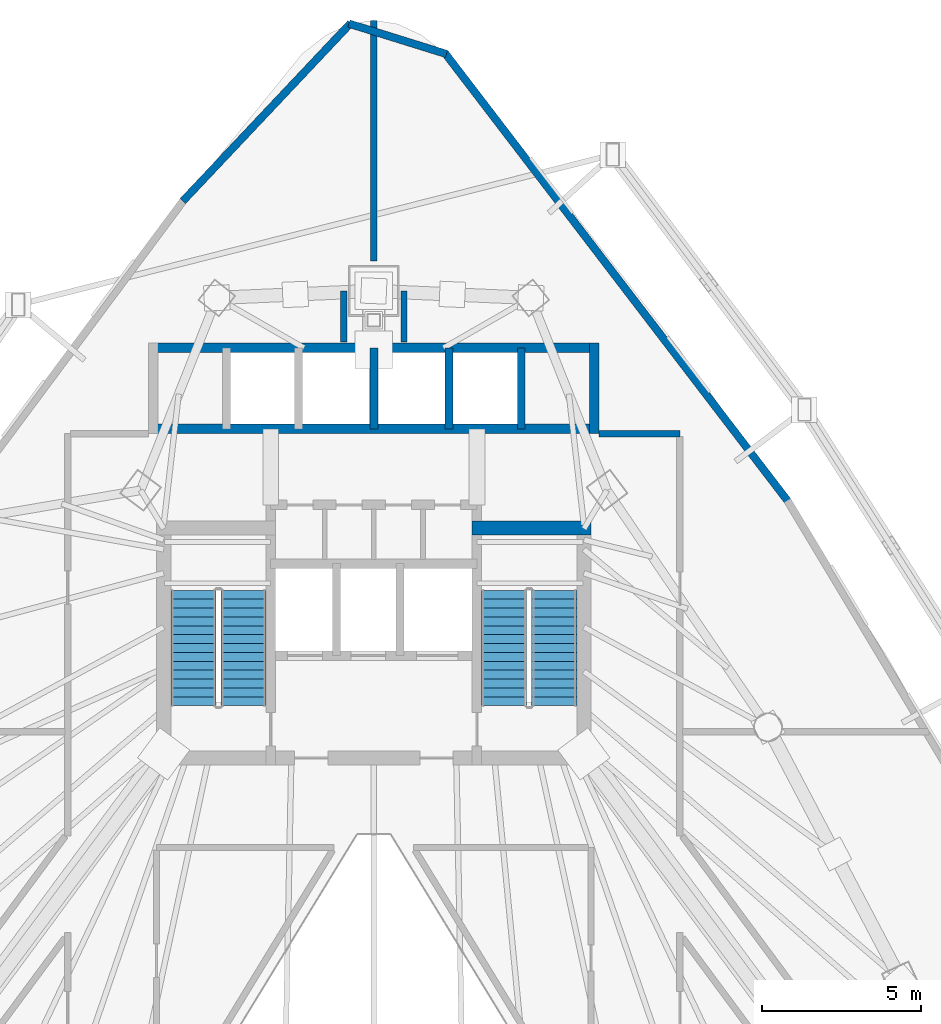
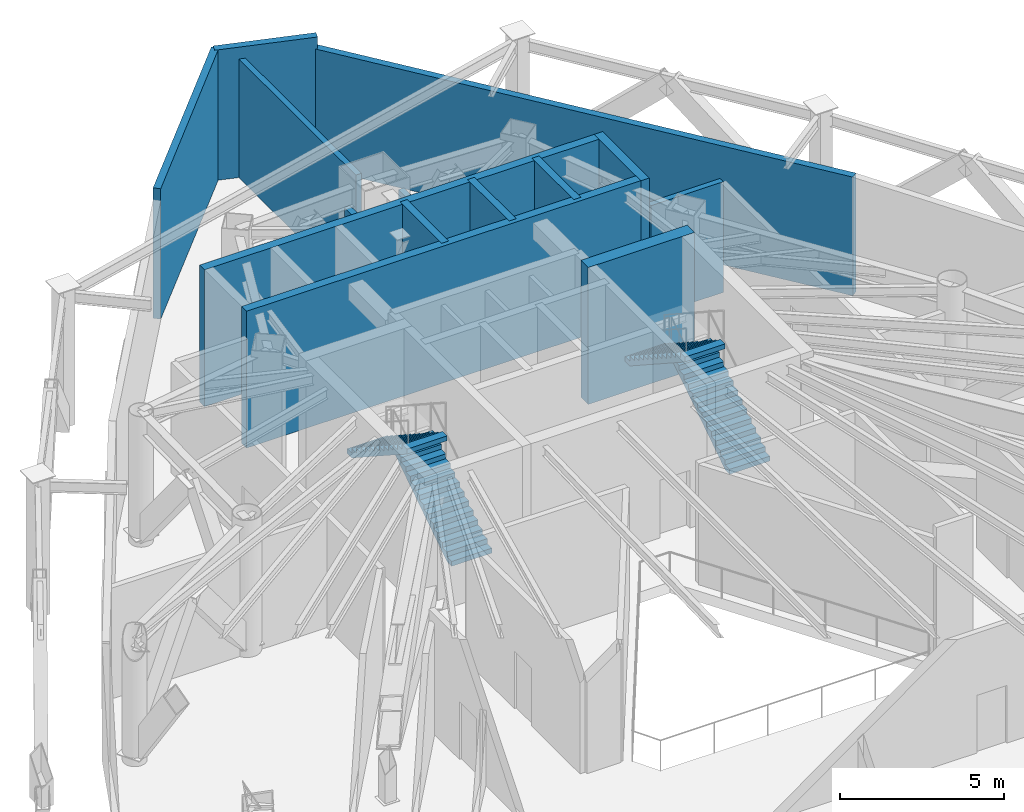
# One storey, part 7 of 10: 14 walls, 4 stair flights, 2 elements without a shape of their own.
"""IFC4 building model written with IfcOpenShell, lengths in metres."""

from ifc_helpers import new_model, si_unit, direction, frame, frame_2d, origin, place, context, subcontext, project, spatial, polyline, rectangle, outline, extrude, material, layer, layer_set, type_object, element, aggregate, save


model = new_model("IFC4")

# Units and contexts
model_context = context("Model", 3, precision=1e-05, world=origin(), true_north=direction((0.0, 1.0)))
body_context = subcontext(model_context, "Body", "Model", "MODEL_VIEW")
ifc_project = project(units=[si_unit("LENGTHUNIT", "METRE"), si_unit("AREAUNIT", "SQUARE_METRE"), si_unit("VOLUMEUNIT", "CUBIC_METRE"), si_unit("PLANEANGLEUNIT", "RADIAN"), si_unit("MASSUNIT", "GRAM", prefix="KILO")], contexts=[model_context])

# Site, building, storey
site_placement = place(None, origin())
site = spatial("IfcSite", under=ifc_project, at=site_placement, CompositionType="ELEMENT")
building_placement = place(site_placement, origin())
building = spatial("IfcBuilding", under=site, at=building_placement, Name="Orvanel Arch Residences", CompositionType="ELEMENT")
storey_placement = place(building_placement, frame((0.0, 0.0, 101.60009765625)))
storey = spatial("IfcBuildingStorey", under=building, at=storey_placement, Name="L28", CompositionType="ELEMENT", Elevation=101.60009765625)

# Walls
ifc_material_1 = material(Name="Precast concrete N50 (50 MPa)", Category="concrete")
ifc_layer_1 = layer(ifc_material_1, 0.239990234375)
ifc_layer_set_1 = layer_set([ifc_layer_1], Name="Precast concrete N50 (50 MPa)")
wall_type_1 = type_object("IfcWallType", Name="EW-BAL-240", PredefinedType="SOLIDWALL", material=ifc_layer_set_1)
wall_1_placement = place(storey_placement, frame((46.0810546875, 34.736083984375, 0.0), z_axis=(0.0, 0.0, 1.0), x_axis=(-0.607712631042, 0.794157010969, 0.0)))
element("IfcWall", 1, at=wall_1_placement, inside=storey, type_object=wall_type_1, Name="L28 Plant Acoustic Louvre Wall Face 3C", PredefinedType="SOLIDWALL", context=body_context, shape_type="SweptSolid", body=[
    extrude(rectangle(XDim=17.843994140625, YDim=0.239990234375, at=frame_2d((8.921875, 0.0))), origin(), (0.0, 0.0, 1.0), 4.423828125),
])
wall_2_placement = place(storey_placement, frame((35.2919921875, 48.867919921875, 0.0), z_axis=(0.0, 0.0, 1.0), x_axis=(-0.954817620723, 0.297192380718, 0.0)))
element("IfcWall", 2, at=wall_2_placement, inside=storey, type_object=wall_type_1, Name="L28 Plant Corner Enclosure Wall", PredefinedType="SOLIDWALL", context=body_context, shape_type="SweptSolid", body=[
    extrude(rectangle(XDim=3.2236328125, YDim=0.239990234375, at=frame_2d((1.61181640625, 0.0))), origin(), (0.0, 0.0, 1.0), 4.85986328125),
])
wall_3_placement = place(storey_placement, frame((32.27099609375, 49.841064453125, 0.0), z_axis=(0.0, 0.0, 1.0), x_axis=(-0.686312069556, -0.727307186257, 0.0)))
element("IfcWall", 3, at=wall_3_placement, inside=storey, type_object=wall_type_1, Name="L28 Plant Corner Enclosure Wall", PredefinedType="SOLIDWALL", context=body_context, shape_type="SweptSolid", body=[
    extrude(rectangle(XDim=7.712158203125, YDim=0.239990234375, at=frame_2d((3.85595703125, 0.0))), origin(), (0.0, 0.0, 1.0), 4.85986328125),
])
ifc_material_2 = material(Name="Concrete N50 (50 MPa)", Category="concrete")
ifc_layer_2 = layer(ifc_material_2, 0.25)
ifc_layer_set_2 = layer_set([ifc_layer_2], Name="Concrete N50 (50 MPa)")
wall_type_2 = type_object("IfcWallType", Name="SW-CORE-250", PredefinedType="SHEAR", material=ifc_layer_set_2)
for number, where, z_axis, x_axis, name in (
    (4, (33.0, 37.050048828125, 0.0), (0.0, 0.0, 1.0), (0.0, 1.0, 0.0), "L28 Passenger Lift Inter-Shaft Wall P56"),
    (5, (35.375, 37.050048828125, 0.0), (0.0, 0.0, 1.0), (0.0, 1.0, 0.0), "L28 Passenger Lift Inter-Shaft Wall P64"),
    (6, (37.64990234375, 37.050048828125, 0.0), (0.0, 0.0, 1.0), (0.0, 1.0, 0.0), "L28 Passenger Lift Inter-Shaft Wall P42"),
):
    element("IfcWall", number, at=place(storey_placement, frame(where, z_axis=z_axis, x_axis=x_axis)), inside=storey, type_object=wall_type_2, Name=name, PredefinedType="SHEAR", context=body_context, shape_type="SweptSolid", body=[
        extrude(rectangle(XDim=2.550048828125, YDim=0.25, at=frame_2d((1.27490234375, 0.0))), origin(), (0.0, 0.0, 1.0), 5.099853515625),
    ])
ifc_material_3 = material(Name="Concrete S80 (80 MPa)", Category="concrete")
ifc_layer_3 = layer(ifc_material_3, 0.300048828125)
ifc_layer_set_3 = layer_set([ifc_layer_3], Name="Concrete S80 (80 MPa)")
wall_type_3 = type_object("IfcWallType", Name="SW-CORE-300", PredefinedType="SHEAR", material=ifc_layer_set_3)
for number, where, z_axis, x_axis, name in (
    (7, (40.10009765625, 37.050048828125, 0.0), (0.0, 0.0, 1.0), (-1.0, 0.0, 0.0), "L28 Passenger Lift Bank Front Shear Wall"),
    (8, (25.89990234375, 39.60009765625, 0.0), (0.0, 0.0, 1.0), (1.0, 0.0, 0.0), "L28 Passenger Lift Bank North Shear Wall"),
):
    element("IfcWall", number, at=place(storey_placement, frame(where, z_axis=z_axis, x_axis=x_axis)), inside=storey, type_object=wall_type_3, Name=name, PredefinedType="SHEAR", context=body_context, shape_type="SweptSolid", body=[
        extrude(rectangle(XDim=14.2001953125, YDim=0.300048828125, at=frame_2d((7.10009765625, 0.0))), origin(), (0.0, 0.0, 1.0), 5.099853515625),
    ])
wall_4_placement = place(storey_placement, frame((39.949951171875, 36.89990234375, 0.0), z_axis=(0.0, 0.0, 1.0), x_axis=(0.0, 1.0, 0.0)))
element("IfcWall", 9, at=wall_4_placement, inside=storey, type_object=wall_type_3, Name="L28 Passenger Lift Bank East Shear Wall", PredefinedType="SHEAR", context=body_context, shape_type="SweptSolid", body=[
    extrude(rectangle(XDim=2.85009765625, YDim=0.300048828125, at=frame_2d((1.425048828125, 0.0))), origin(), (0.0, 0.0, 1.0), 5.099853515625),
])
ifc_layer_4 = layer(ifc_material_3, 0.449951171875)
ifc_layer_set_4 = layer_set([ifc_layer_4], Name="Concrete S80 (80 MPa)")
wall_type_4 = type_object("IfcWallType", Name="SW-CORE-450", PredefinedType="SHEAR", material=ifc_layer_set_4)
wall_5_placement = place(storey_placement, frame((36.10009765625, 33.925048828125, 0.0), z_axis=(0.0, 0.0, 1.0), x_axis=(1.0, 0.0, 0.0)))
element("IfcWall", 10, at=wall_5_placement, inside=storey, type_object=wall_type_4, Name="L28 East Stair North Shear Wall", PredefinedType="SHEAR", context=body_context, shape_type="SweptSolid", body=[
    extrude(rectangle(XDim=3.75, YDim=0.449951171875, at=frame_2d((1.875, 0.0))), origin(), (0.0, 0.0, 1.0), 5.099853515625),
])
ifc_material_4 = material(Name="Fire-rated plasterboard lined steel stud partition", Category="steel")
ifc_layer_5 = layer(ifc_material_4, 0.199951171875)
ifc_layer_set_5 = layer_set([ifc_layer_5], Name="Fire-rated plasterboard lined steel stud partition")
wall_type_5 = type_object("IfcWallType", Name="W-PLT-200", PredefinedType="PARTITIONING", material=ifc_layer_set_5)
wall_6_placement = place(storey_placement, frame((40.10009765625, 36.89990234375, 0.0), z_axis=(0.0, 0.0, 1.0), x_axis=(1.0, 0.0, 0.0)))
element("IfcWall", 11, at=wall_6_placement, inside=storey, type_object=wall_type_5, Name="L28 Fire-Rated Refuge and Plant Corridor Wall", PredefinedType="PARTITIONING", context=body_context, shape_type="SweptSolid", body=[
    extrude(rectangle(XDim=2.5498046875, YDim=0.199951171875, at=frame_2d((1.27490234375, 0.0))), origin(), (0.0, 0.0, 1.0), 4.125),
])
for number, where, z_axis, x_axis, name in (
    (12, (32.050048828125, 39.7900390625, 0.0), (0.0, 0.0, 1.0), (0.0, 1.0, 0.0), "L28 Outrigger Truss Fire Enclosure Wall"),
    (13, (33.949951171875, 41.39794921875, 0.0), (0.0, 0.0, 1.0), (0.0, -1.0, 0.0), "L28 Outrigger Truss Fire Enclosure Wall"),
):
    element("IfcWall", number, at=place(storey_placement, frame(where, z_axis=z_axis, x_axis=x_axis)), inside=storey, type_object=wall_type_5, Name=name, PredefinedType="PARTITIONING", context=body_context, shape_type="SweptSolid", body=[
        extrude(rectangle(XDim=1.60791015625, YDim=0.199951171875, at=frame_2d((0.803955078125, 0.0))), origin(), (0.0, 0.0, 1.0), 4.125),
    ])
wall_7_placement = place(storey_placement, frame((33.0, 42.347900390625, 0.0), z_axis=(0.0, 0.0, 1.0), x_axis=(0.0, 1.0, 0.0)))
element("IfcWall", 14, at=wall_7_placement, inside=storey, type_object=wall_type_5, Name="L28 Fire Compartment Wall", PredefinedType="PARTITIONING", context=body_context, shape_type="SweptSolid", body=[
    extrude(rectangle(XDim=7.570068359375, YDim=0.199951171875, at=frame_2d((3.78515625, 0.0))), origin(), (0.0, 0.0, 1.0), 4.4189453125),
])

# Stair, stair flights
stair_type = type_object("IfcStairType", Name="STR-DOG-181", PredefinedType="USERDEFINED", material=ifc_material_1)
stair_1_placement = place(storey_placement, origin())
stair_1 = element("IfcStair", 15, at=stair_1_placement, inside=storey, type_object=stair_type, Name="L28 Fire-Isolated Core Exit Stair 1", ObjectType="TWO_RETURN_STAIR", PredefinedType="USERDEFINED")
stair_flight_type_1 = type_object("IfcStairFlightType", Name="SFL-C1-181", PredefinedType="STRAIGHT", material=ifc_material_1)
stair_flight_1_placement = place(storey_placement, frame((28.889892578125, 28.320068359375, 0.0), z_axis=(0.0, 0.0, 1.0), x_axis=(0.0, 1.0, 0.0)))
stair_flight_1 = element("IfcStairFlight", 16, at=stair_flight_1_placement, type_object=stair_flight_type_1, Name="ST-1 flight 1", NumberOfRisers=14, NumberOfTreads=13, PredefinedType="STRAIGHT", RiserHeight=0.182142857, TreadLength=0.28, context=body_context, shape_type="SweptSolid", body=[
    extrude(outline(polyline([(0.0, 0.0), (0.0, 0.18212890625), (0.280029296875, 0.18212890625), (0.280029296875, 0.3642578125), (0.56005859375, 0.3642578125), (0.56005859375, 0.54638671875), (0.840087890625, 0.54638671875), (0.840087890625, 0.728515625), (1.1201171875, 0.728515625), (1.1201171875, 0.91064453125), (1.39990234375, 0.91064453125), (1.39990234375, 1.0927734375), (1.679931640625, 1.0927734375), (1.679931640625, 1.27490234375), (1.9599609375, 1.27490234375), (1.9599609375, 1.45703125), (2.239990234375, 1.45703125), (2.239990234375, 1.639404296875), (2.52001953125, 1.639404296875), (2.52001953125, 1.821533203125), (2.800048828125, 1.821533203125), (2.800048828125, 2.003662109375), (3.080078125, 2.003662109375), (3.080078125, 2.185791015625), (3.360107421875, 2.185791015625), (3.360107421875, 2.367919921875), (3.639892578125, 2.367919921875), (3.639892578125, 2.550048828125), (3.639892578125, 2.18896484375), (0.27490234375, 0.0), (0.0, 0.0)])), frame((0.0, 0.7099609375, 0.0), z_axis=(0.0, -1.0, 0.0), x_axis=(1.0, 0.0, 0.0)), (0.0, 0.0, 1.0), 1.419921875),
])
stair_flight_2_placement = place(storey_placement, frame((27.31005859375, 31.9599609375, 2.5498046875), z_axis=(0.0, 0.0, 1.0), x_axis=(0.0, -1.0, 0.0)))
stair_flight_2 = element("IfcStairFlight", 17, at=stair_flight_2_placement, type_object=stair_flight_type_1, Name="ST-1 flight 2", NumberOfRisers=14, NumberOfTreads=13, PredefinedType="STRAIGHT", RiserHeight=0.182142857, TreadLength=0.28, context=body_context, shape_type="SweptSolid", body=[
    extrude(outline(polyline([(0.0, 0.0), (0.0, 0.18212890625), (0.280029296875, 0.18212890625), (0.280029296875, 0.3642578125), (0.56005859375, 0.3642578125), (0.56005859375, 0.54638671875), (0.840087890625, 0.54638671875), (0.840087890625, 0.728515625), (1.1201171875, 0.728515625), (1.1201171875, 0.91064453125), (1.39990234375, 0.91064453125), (1.39990234375, 1.0927734375), (1.679931640625, 1.0927734375), (1.679931640625, 1.27490234375), (1.9599609375, 1.27490234375), (1.9599609375, 1.45703125), (2.239990234375, 1.45703125), (2.239990234375, 1.639404296875), (2.52001953125, 1.639404296875), (2.52001953125, 1.821533203125), (2.800048828125, 1.821533203125), (2.800048828125, 2.003662109375), (3.080078125, 2.003662109375), (3.080078125, 2.185791015625), (3.360107421875, 2.185791015625), (3.360107421875, 2.367919921875), (3.639892578125, 2.367919921875), (3.639892578125, 2.550048828125), (3.639892578125, 2.18896484375), (0.27490234375, 0.0), (0.0, 0.0)])), frame((0.0, 0.7099609375, 0.0), z_axis=(0.0, -1.0, 0.0), x_axis=(1.0, 0.0, 0.0)), (0.0, 0.0, 1.0), 1.419921875),
])
aggregate(stair_1, [stair_flight_1, stair_flight_2])

stair_2_placement = place(storey_placement, origin())
stair_2 = element("IfcStair", 18, at=stair_2_placement, inside=storey, type_object=stair_type, Name="L28 Fire-Isolated Core Exit Stair 2", ObjectType="TWO_RETURN_STAIR", PredefinedType="USERDEFINED")
stair_flight_type_2 = type_object("IfcStairFlightType", Name="SFL-C2-181", PredefinedType="STRAIGHT", material=ifc_material_1)
stair_flight_3_placement = place(storey_placement, frame((38.68994140625, 28.320068359375, 0.0), z_axis=(0.0, 0.0, 1.0), x_axis=(0.0, 1.0, 0.0)))
stair_flight_3 = element("IfcStairFlight", 19, at=stair_flight_3_placement, type_object=stair_flight_type_2, Name="ST-2 flight 1", NumberOfRisers=14, NumberOfTreads=13, PredefinedType="STRAIGHT", RiserHeight=0.182142857, TreadLength=0.28, context=body_context, shape_type="SweptSolid", body=[
    extrude(outline(polyline([(0.0, 0.0), (0.0, 0.18212890625), (0.280029296875, 0.18212890625), (0.280029296875, 0.3642578125), (0.56005859375, 0.3642578125), (0.56005859375, 0.54638671875), (0.840087890625, 0.54638671875), (0.840087890625, 0.728515625), (1.1201171875, 0.728515625), (1.1201171875, 0.91064453125), (1.39990234375, 0.91064453125), (1.39990234375, 1.0927734375), (1.679931640625, 1.0927734375), (1.679931640625, 1.27490234375), (1.9599609375, 1.27490234375), (1.9599609375, 1.45703125), (2.239990234375, 1.45703125), (2.239990234375, 1.639404296875), (2.52001953125, 1.639404296875), (2.52001953125, 1.821533203125), (2.800048828125, 1.821533203125), (2.800048828125, 2.003662109375), (3.080078125, 2.003662109375), (3.080078125, 2.185791015625), (3.360107421875, 2.185791015625), (3.360107421875, 2.367919921875), (3.639892578125, 2.367919921875), (3.639892578125, 2.550048828125), (3.639892578125, 2.18896484375), (0.27490234375, 0.0), (0.0, 0.0)])), frame((0.0, 0.7099609375, 0.0), z_axis=(0.0, -1.0, 0.0), x_axis=(1.0, 0.0, 0.0)), (0.0, 0.0, 1.0), 1.419921875),
])
stair_flight_4_placement = place(storey_placement, frame((37.110107421875, 31.9599609375, 2.5498046875), z_axis=(0.0, 0.0, 1.0), x_axis=(0.0, -1.0, 0.0)))
stair_flight_4 = element("IfcStairFlight", 20, at=stair_flight_4_placement, type_object=stair_flight_type_2, Name="ST-2 flight 2", NumberOfRisers=14, NumberOfTreads=13, PredefinedType="STRAIGHT", RiserHeight=0.182142857, TreadLength=0.28, context=body_context, shape_type="SweptSolid", body=[
    extrude(outline(polyline([(0.0, 0.0), (0.0, 0.18212890625), (0.280029296875, 0.18212890625), (0.280029296875, 0.3642578125), (0.56005859375, 0.3642578125), (0.56005859375, 0.54638671875), (0.840087890625, 0.54638671875), (0.840087890625, 0.728515625), (1.1201171875, 0.728515625), (1.1201171875, 0.91064453125), (1.39990234375, 0.91064453125), (1.39990234375, 1.0927734375), (1.679931640625, 1.0927734375), (1.679931640625, 1.27490234375), (1.9599609375, 1.27490234375), (1.9599609375, 1.45703125), (2.239990234375, 1.45703125), (2.239990234375, 1.639404296875), (2.52001953125, 1.639404296875), (2.52001953125, 1.821533203125), (2.800048828125, 1.821533203125), (2.800048828125, 2.003662109375), (3.080078125, 2.003662109375), (3.080078125, 2.185791015625), (3.360107421875, 2.185791015625), (3.360107421875, 2.367919921875), (3.639892578125, 2.367919921875), (3.639892578125, 2.550048828125), (3.639892578125, 2.18896484375), (0.27490234375, 0.0), (0.0, 0.0)])), frame((0.0, 0.7099609375, 0.0), z_axis=(0.0, -1.0, 0.0), x_axis=(1.0, 0.0, 0.0)), (0.0, 0.0, 1.0), 1.419921875),
])
aggregate(stair_2, [stair_flight_3, stair_flight_4])

save(model, "model.ifc")
